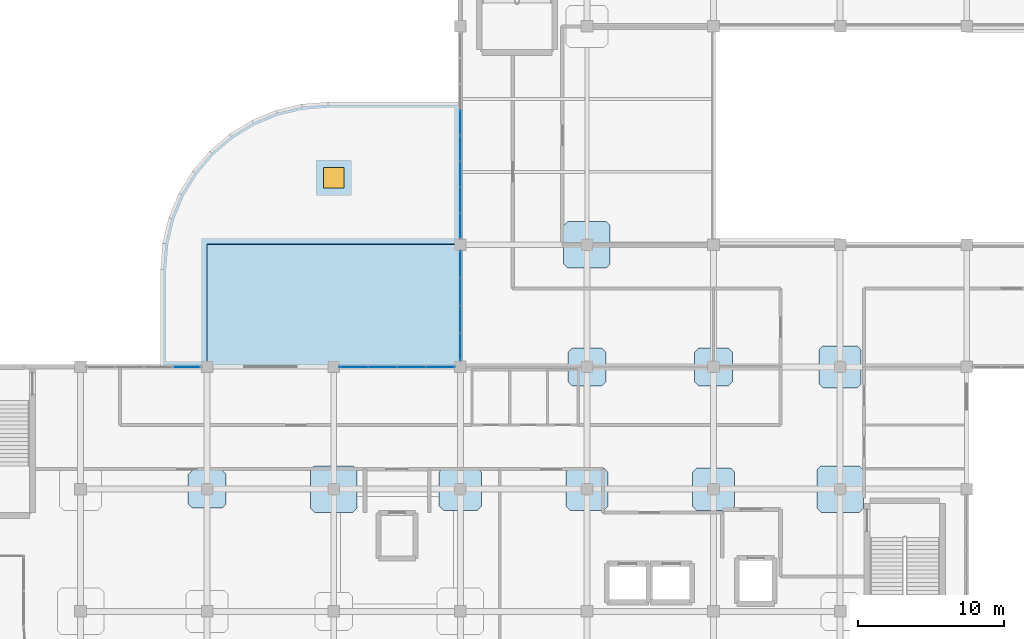
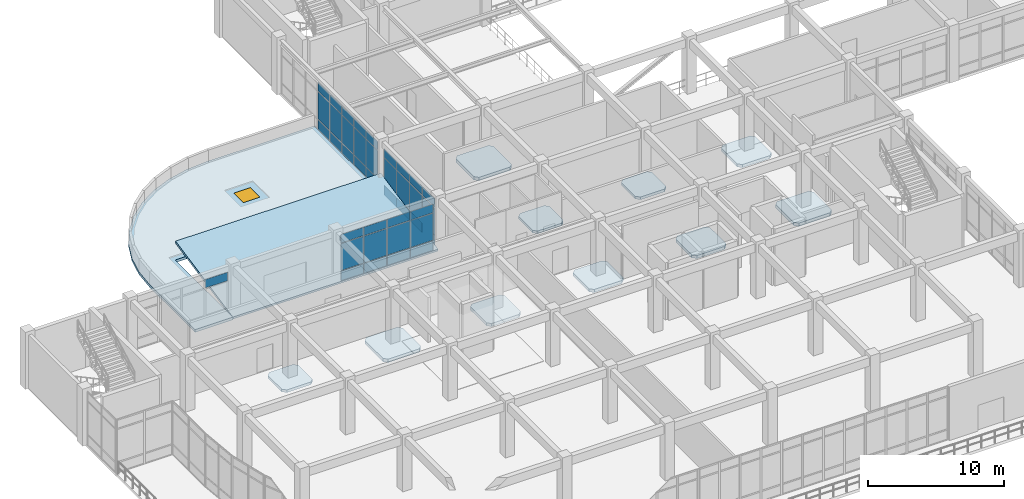
# One storey, part 93 of 124: 41 plates, 12 slabs, 1 window, 1 opening, 5 elements without a shape of their own.
"""IFC4 building model written with IfcOpenShell, lengths in metres."""

from ifc_helpers import new_model, si_unit, derived_unit, direction, frame, origin, origin_2d, place, context, subcontext, project, spatial, polyline, rectangle, outline, extrude, material, layer, layer_set, type_object, element, fill, aggregate, save


model = new_model("IFC4")

# Units and contexts
model_context = context("Model", 3, precision=1e-05, world=origin(), true_north=direction((0.0, 1.0)))
body_context = subcontext(model_context, "Body", "Model", "MODEL_VIEW")
ifc_project = project(units=[si_unit("LENGTHUNIT", "METRE"), si_unit("AREAUNIT", "SQUARE_METRE"), si_unit("VOLUMEUNIT", "CUBIC_METRE"), si_unit("PLANEANGLEUNIT", "RADIAN"), si_unit("MASSUNIT", "GRAM", prefix="KILO"), derived_unit("THERMALTRANSMITTANCEUNIT", [(si_unit("MASSUNIT", "GRAM", prefix="KILO"), 1), (si_unit("TIMEUNIT", "SECOND"), -3), (si_unit("THERMODYNAMICTEMPERATUREUNIT", "KELVIN"), -1)])], contexts=[model_context])

# Site, building, storey
site_placement = place(None, origin())
site = spatial("IfcSite", under=ifc_project, at=site_placement, CompositionType="ELEMENT")
building_placement = place(site_placement, origin())
building = spatial("IfcBuilding", under=site, at=building_placement, Name="Qinzheling Arcade Emporium", CompositionType="ELEMENT")
storey_placement = place(building_placement, frame((0.0, 0.0, 16.5)))
storey = spatial("IfcBuildingStorey", under=building, at=storey_placement, Name="L04", CompositionType="ELEMENT", Elevation=16.5)

# Slabs
ifc_material_1 = material(Name="Concrete C40", Category="concrete")
ifc_layer_1 = layer(ifc_material_1, 0.235107421875, Name="Concrete C40", Category="concrete")
ifc_layer_set_1 = layer_set([ifc_layer_1], Name="Concrete C40")
slab_type_1 = type_object("IfcSlabType", Name="Column Head Drop Panel 2600x2600x235 C40", PredefinedType="USERDEFINED", material=ifc_layer_set_1)
slab_1_placement = place(storey_placement, frame((0.0, 0.0, -0.514892578125)))
element("IfcSlab", 1, at=slab_1_placement, inside=storey, type_object=slab_type_1, Name="Column Drop Panel DP-L04-3-E", ObjectType="DROP_PANEL", PredefinedType="USERDEFINED", context=body_context, shape_type="SweptSolid", body=[
    extrude(outline(polyline([(16.3798828125, 32.300048828125), (18.419921875, 32.300048828125), (18.699951171875, 32.580078125), (18.699951171875, 34.6201171875), (18.419921875, 34.89990234375), (16.3798828125, 34.89990234375), (16.10009765625, 34.6201171875), (16.10009765625, 32.580078125), (16.3798828125, 32.300048828125)])), origin(), (0.0, 0.0, 1.0), 0.23486328125),
])
slab_2_placement = place(storey_placement, frame((0.0, 0.0, -0.514892578125)))
element("IfcSlab", 2, at=slab_2_placement, inside=storey, type_object=slab_type_1, Name="Column Drop Panel DP-L04-6-F", ObjectType="DROP_PANEL", PredefinedType="USERDEFINED", context=body_context, shape_type="SweptSolid", body=[
    extrude(outline(polyline([(42.47998046875, 40.699951171875), (44.52001953125, 40.699951171875), (44.800048828125, 40.97998046875), (44.800048828125, 43.02001953125), (44.52001953125, 43.300048828125), (42.47998046875, 43.300048828125), (42.199951171875, 43.02001953125), (42.199951171875, 40.97998046875), (42.47998046875, 40.699951171875)])), origin(), (0.0, 0.0, 1.0), 0.23486328125),
])
slab_3_placement = place(storey_placement, frame((0.0, 0.0, -0.514892578125)))
element("IfcSlab", 3, at=slab_3_placement, inside=storey, type_object=slab_type_1, Name="Column Drop Panel DP-L04-7-F", ObjectType="DROP_PANEL", PredefinedType="USERDEFINED", context=body_context, shape_type="SweptSolid", body=[
    extrude(outline(polyline([(51.179931640625, 40.699951171875), (53.219970703125, 40.699951171875), (53.5, 40.97998046875), (53.5, 43.02001953125), (53.219970703125, 43.300048828125), (51.179931640625, 43.300048828125), (50.89990234375, 43.02001953125), (50.89990234375, 40.97998046875), (51.179931640625, 40.699951171875)])), origin(), (0.0, 0.0, 1.0), 0.23486328125),
])
ifc_layer_2 = layer(ifc_material_1, 0.27001953125, Name="Concrete C40", Category="concrete")
ifc_layer_set_2 = layer_set([ifc_layer_2], Name="Concrete C40")
slab_type_2 = type_object("IfcSlabType", Name="Column Head Drop Panel 2900x2900x270 C40", PredefinedType="USERDEFINED", material=ifc_layer_set_2)
slab_4_placement = place(storey_placement, frame((0.0, 0.0, -0.550048828125)))
element("IfcSlab", 4, at=slab_4_placement, inside=storey, type_object=slab_type_2, Name="Column Drop Panel DP-L04-5-E", ObjectType="DROP_PANEL", PredefinedType="USERDEFINED", context=body_context, shape_type="SweptSolid", body=[
    extrude(outline(polyline([(33.6298828125, 32.14990234375), (35.969970703125, 32.14990234375), (36.25, 32.429931640625), (36.25, 34.77001953125), (35.969970703125, 35.050048828125), (33.6298828125, 35.050048828125), (33.35009765625, 34.77001953125), (33.35009765625, 32.429931640625), (33.6298828125, 32.14990234375)])), origin(), (0.0, 0.0, 1.0), 0.27001953125),
])
slab_5_placement = place(storey_placement, frame((0.0, 0.0, -0.550048828125)))
element("IfcSlab", 5, at=slab_5_placement, inside=storey, type_object=slab_type_2, Name="Column Drop Panel DP-L04-6-E", ObjectType="DROP_PANEL", PredefinedType="USERDEFINED", context=body_context, shape_type="SweptSolid", body=[
    extrude(outline(polyline([(42.330078125, 32.14990234375), (44.669921875, 32.14990234375), (44.949951171875, 32.429931640625), (44.949951171875, 34.77001953125), (44.669921875, 35.050048828125), (42.330078125, 35.050048828125), (42.050048828125, 34.77001953125), (42.050048828125, 32.429931640625), (42.330078125, 32.14990234375)])), origin(), (0.0, 0.0, 1.0), 0.27001953125),
])
slab_6_placement = place(storey_placement, frame((0.0, 0.0, -0.550048828125)))
element("IfcSlab", 6, at=slab_6_placement, inside=storey, type_object=slab_type_2, Name="Column Drop Panel DP-L04-7-E", ObjectType="DROP_PANEL", PredefinedType="USERDEFINED", context=body_context, shape_type="SweptSolid", body=[
    extrude(outline(polyline([(51.030029296875, 32.14990234375), (53.3701171875, 32.14990234375), (53.64990234375, 32.429931640625), (53.64990234375, 34.77001953125), (53.3701171875, 35.050048828125), (51.030029296875, 35.050048828125), (50.75, 34.77001953125), (50.75, 32.429931640625), (51.030029296875, 32.14990234375)])), origin(), (0.0, 0.0, 1.0), 0.27001953125),
])
slab_7_placement = place(storey_placement, frame((0.0, 0.0, -0.550048828125)))
element("IfcSlab", 7, at=slab_7_placement, inside=storey, type_object=slab_type_2, Name="Column Drop Panel DP-L04-8-F", ObjectType="DROP_PANEL", PredefinedType="USERDEFINED", context=body_context, shape_type="SweptSolid", body=[
    extrude(outline(polyline([(59.72998046875, 40.550048828125), (62.070068359375, 40.550048828125), (62.35009765625, 40.830078125), (62.35009765625, 43.169921875), (62.070068359375, 43.449951171875), (59.72998046875, 43.449951171875), (59.449951171875, 43.169921875), (59.449951171875, 40.830078125), (59.72998046875, 40.550048828125)])), origin(), (0.0, 0.0, 1.0), 0.27001953125),
])
ifc_layer_3 = layer(ifc_material_1, 0.300048828125, Name="Concrete C40", Category="concrete")
ifc_layer_set_3 = layer_set([ifc_layer_3], Name="Concrete C40")
slab_type_3 = type_object("IfcSlabType", Name="Column Head Drop Panel 3200x3200x300 C40", PredefinedType="USERDEFINED", material=ifc_layer_set_3)
slab_8_placement = place(storey_placement, frame((0.0, 0.0, -0.580078125)))
element("IfcSlab", 8, at=slab_8_placement, inside=storey, type_object=slab_type_3, Name="Column Drop Panel DP-L04-4-E", ObjectType="DROP_PANEL", PredefinedType="USERDEFINED", context=body_context, shape_type="SweptSolid", body=[
    extrude(outline(polyline([(24.780029296875, 32.0), (27.419921875, 32.0), (27.699951171875, 32.280029296875), (27.699951171875, 34.919921875), (27.419921875, 35.199951171875), (24.780029296875, 35.199951171875), (24.5, 34.919921875), (24.5, 32.280029296875), (24.780029296875, 32.0)])), origin(), (0.0, 0.0, 1.0), 0.300048828125),
])
slab_9_placement = place(storey_placement, frame((0.0, 0.0, -0.580078125)))
element("IfcSlab", 9, at=slab_9_placement, inside=storey, type_object=slab_type_3, Name="Column Drop Panel DP-L04-6-G", ObjectType="DROP_PANEL", PredefinedType="USERDEFINED", context=body_context, shape_type="SweptSolid", body=[
    extrude(outline(polyline([(42.179931640625, 48.800048828125), (44.820068359375, 48.800048828125), (45.10009765625, 49.080078125), (45.10009765625, 51.719970703125), (44.820068359375, 52.0), (42.179931640625, 52.0), (41.89990234375, 51.719970703125), (41.89990234375, 49.080078125), (42.179931640625, 48.800048828125)])), origin(), (0.0, 0.0, 1.0), 0.300048828125),
])
slab_10_placement = place(storey_placement, frame((0.0, 0.0, -0.580078125)))
element("IfcSlab", 10, at=slab_10_placement, inside=storey, type_object=slab_type_3, Name="Column Drop Panel DP-L04-8-E", ObjectType="DROP_PANEL", PredefinedType="USERDEFINED", context=body_context, shape_type="SweptSolid", body=[
    extrude(outline(polyline([(59.580078125, 32.0), (62.219970703125, 32.0), (62.5, 32.280029296875), (62.5, 34.919921875), (62.219970703125, 35.199951171875), (59.580078125, 35.199951171875), (59.300048828125, 34.919921875), (59.300048828125, 32.280029296875), (59.580078125, 32.0)])), origin(), (0.0, 0.0, 1.0), 0.300048828125),
])

# Slab, opening, window
ifc_layer_4 = layer(ifc_material_1, 0.239990234375, Name="Concrete C40", Category="concrete")
ifc_layer_set_4 = layer_set([ifc_layer_4], Name="Concrete C40")
slab_type_4 = type_object("IfcSlabType", Name="Insulated Flat Roof Slab 240 C40", PredefinedType="ROOF", material=ifc_layer_set_4)
slab_11_placement = place(storey_placement, frame((0.0, 0.0, -0.239990234375)))
slab_11 = element("IfcSlab", 11, at=slab_11_placement, inside=storey, type_object=slab_type_4, Name="Roof Slab SLB-RF-V1W", PredefinedType="ROOF", context=body_context, shape_type="SweptSolid", body=[
    extrude(outline(polyline([(17.39990234375, 42.0), (17.39990234375, 50.449951171875), (34.800048828125, 50.449951171875), (34.800048828125, 60.199951171875), (25.699951171875, 60.199951171875), (23.90087890625, 60.05810546875), (22.14599609375, 59.636962890625), (20.47900390625, 58.947021484375), (18.93994140625, 58.00390625), (17.568115234375, 56.83203125), (16.39599609375, 55.4599609375), (15.452880859375, 53.9208984375), (14.762939453125, 52.25390625), (14.342041015625, 50.4990234375), (14.199951171875, 48.699951171875), (14.199951171875, 42.0), (17.39990234375, 42.0)])), origin(), (0.0, 0.0, 1.0), 0.239990234375),
])
opening_placement = place(slab_11_placement, frame((26.10009765625, 55.0, -0.010009765625)))
opening = element("IfcOpeningElement", 12, at=opening_placement, cuts=slab_11, Name="Opening RH01", PredefinedType="OPENING", context=body_context, shape_type="SweptSolid", body=[
    extrude(rectangle(XDim=1.39990234375, YDim=1.39990234375, at=origin_2d()), origin(), (0.0, 0.0, 1.0), 0.260009765625),
])
ifc_material_2 = material(Name="Insulated aluminium skylight hatch", Category="aluminium")
window_type = type_object("IfcWindowType", Name="Insulated Roof Smoke and Access Hatch 1400x1400", PartitioningType="SINGLE_PANEL", PredefinedType="SKYLIGHT", material=ifc_material_2)
window_placement = place(opening_placement, frame((0.0, 0.0, 0.199951171875)))
window = element("IfcWindow", 13, at=window_placement, inside=storey, type_object=window_type, Name="RH01 Roof Hatch RHT-L04-01", OverallHeight=1.39990234375, OverallWidth=1.39990234375, PartitioningType="SINGLE_PANEL", PredefinedType="SKYLIGHT", context=body_context, shape_type="SweptSolid", body=[
    extrude(rectangle(XDim=1.39990234375, YDim=1.39990234375, at=origin_2d()), origin(), (0.0, 0.0, 1.0), 0.050048828125),
])
fill(opening, window)

# Curtain wall, plate
ifc_material_3 = material(Name="Anodised aluminium and solar-control double glazing", Category="aluminium")
ifc_layer_5 = layer(ifc_material_3, 0.159912109375, Name="Anodised aluminium and solar-control double glazing", Category="aluminium")
ifc_layer_set_5 = layer_set([ifc_layer_5], Name="Anodised aluminium and solar-control double glazing")
curtain_wall_type = type_object("IfcCurtainWallType", Name="Atrium Clerestory Curtain Wall", PredefinedType="NOTDEFINED", material=ifc_layer_set_5)
curtain_wall_1_placement = place(storey_placement, origin())
curtain_wall_1 = element("IfcCurtainWall", 14, at=curtain_wall_1_placement, inside=storey, type_object=curtain_wall_type, Name="Curtain Wall CW-L04-238", PredefinedType="NOTDEFINED")
ifc_material_4 = material(Name="Laminated solar-control double glazing", Category="glass")
ifc_layer_6 = layer(ifc_material_4, 0.02197265625, Name="Laminated solar-control double glazing", Category="glass")
ifc_layer_set_6 = layer_set([ifc_layer_6], Name="Laminated solar-control double glazing")
plate_type_1 = type_object("IfcPlateType", Name="Low-E Double Glazed Curtain Panel 22mm", PredefinedType="CURTAIN_PANEL", material=ifc_layer_set_6)
plate_1_placement = place(storey_placement, frame((15.99609375, 42.0, 3.43505859375), z_axis=(0.0, 0.0, 1.0), x_axis=(1.0, 0.0, 0.0)))
plate_1 = element("IfcPlate", 15, at=plate_1_placement, type_object=plate_type_1, Name="CW03 panel 4.3", PredefinedType="CURTAIN_PANEL", context=body_context, shape_type="SweptSolid", body=[
    extrude(rectangle(XDim=1.884033203125, YDim=0.02197265625, at=origin_2d()), origin(), (0.0, 0.0, 1.0), 0.760009765625),
])
aggregate(curtain_wall_1, [plate_1])

# Curtain wall, plates
curtain_wall_2_placement = place(storey_placement, origin())
curtain_wall_2 = element("IfcCurtainWall", 16, at=curtain_wall_2_placement, inside=storey, type_object=curtain_wall_type, Name="Curtain Wall CW-L04-239", PredefinedType="NOTDEFINED")
ifc_layer_7 = layer(ifc_material_4, 0.02392578125, Name="Laminated solar-control double glazing", Category="glass")
ifc_layer_set_7 = layer_set([ifc_layer_7], Name="Laminated solar-control double glazing")
plate_type_2 = type_object("IfcPlateType", Name="Low-E Double Glazed Curtain Panel 24mm", PredefinedType="CURTAIN_PANEL", material=ifc_layer_set_7)
plate_2_placement = place(storey_placement, frame((27.50390625, 42.0, 0.06005859375), z_axis=(0.0, 0.0, 1.0), x_axis=(1.0, 0.0, 0.0)))
plate_2 = element("IfcPlate", 17, at=plate_2_placement, type_object=plate_type_2, Name="CW03 panel 1.1", PredefinedType="CURTAIN_PANEL", context=body_context, shape_type="SweptSolid", body=[
    extrude(rectangle(XDim=1.884033203125, YDim=0.02392578125, at=origin_2d()), origin(), (0.0, 0.0, 1.0), 0.860107421875),
])
plate_3_placement = place(storey_placement, frame((27.50390625, 42.0, 0.97998046875), z_axis=(0.0, 0.0, 1.0), x_axis=(1.0, 0.0, 0.0)))
plate_3 = element("IfcPlate", 18, at=plate_3_placement, type_object=plate_type_2, Name="CW03 panel 1.2", PredefinedType="CURTAIN_PANEL", context=body_context, shape_type="SweptSolid", body=[
    extrude(rectangle(XDim=1.884033203125, YDim=0.02392578125, at=origin_2d()), origin(), (0.0, 0.0, 1.0), 2.39501953125),
])
plate_4_placement = place(storey_placement, frame((27.50390625, 42.0, 3.43505859375), z_axis=(0.0, 0.0, 1.0), x_axis=(1.0, 0.0, 0.0)))
plate_4 = element("IfcPlate", 19, at=plate_4_placement, type_object=plate_type_2, Name="CW03 panel 1.3", PredefinedType="CURTAIN_PANEL", context=body_context, shape_type="SweptSolid", body=[
    extrude(rectangle(XDim=1.884033203125, YDim=0.02392578125, at=origin_2d()), origin(), (0.0, 0.0, 1.0), 0.760009765625),
])
plate_5_placement = place(storey_placement, frame((29.462890625, 42.0, 0.06005859375), z_axis=(0.0, 0.0, 1.0), x_axis=(1.0, 0.0, 0.0)))
plate_5 = element("IfcPlate", 20, at=plate_5_placement, type_object=plate_type_2, Name="CW03 panel 2.1", PredefinedType="CURTAIN_PANEL", context=body_context, shape_type="SweptSolid", body=[
    extrude(rectangle(XDim=1.9140625, YDim=0.02392578125, at=origin_2d()), origin(), (0.0, 0.0, 1.0), 0.860107421875),
])
plate_6_placement = place(storey_placement, frame((29.462890625, 42.0, 0.97998046875), z_axis=(0.0, 0.0, 1.0), x_axis=(1.0, 0.0, 0.0)))
plate_6 = element("IfcPlate", 21, at=plate_6_placement, type_object=plate_type_2, Name="CW03 panel 2.2", PredefinedType="CURTAIN_PANEL", context=body_context, shape_type="SweptSolid", body=[
    extrude(rectangle(XDim=1.9140625, YDim=0.02392578125, at=origin_2d()), origin(), (0.0, 0.0, 1.0), 2.39501953125),
])
plate_7_placement = place(storey_placement, frame((29.462890625, 42.0, 3.43505859375), z_axis=(0.0, 0.0, 1.0), x_axis=(1.0, 0.0, 0.0)))
plate_7 = element("IfcPlate", 22, at=plate_7_placement, type_object=plate_type_2, Name="CW03 panel 2.3", PredefinedType="CURTAIN_PANEL", context=body_context, shape_type="SweptSolid", body=[
    extrude(rectangle(XDim=1.9140625, YDim=0.02392578125, at=origin_2d()), origin(), (0.0, 0.0, 1.0), 0.760009765625),
])
plate_8_placement = place(storey_placement, frame((31.43701171875, 42.0, 0.06005859375), z_axis=(0.0, 0.0, 1.0), x_axis=(1.0, 0.0, 0.0)))
plate_8 = element("IfcPlate", 23, at=plate_8_placement, type_object=plate_type_2, Name="CW03 panel 3.1", PredefinedType="CURTAIN_PANEL", context=body_context, shape_type="SweptSolid", body=[
    extrude(rectangle(XDim=1.9140625, YDim=0.02392578125, at=origin_2d()), origin(), (0.0, 0.0, 1.0), 0.860107421875),
])
plate_9_placement = place(storey_placement, frame((31.43701171875, 42.0, 0.97998046875), z_axis=(0.0, 0.0, 1.0), x_axis=(1.0, 0.0, 0.0)))
plate_9 = element("IfcPlate", 24, at=plate_9_placement, type_object=plate_type_2, Name="CW03 panel 3.2", PredefinedType="CURTAIN_PANEL", context=body_context, shape_type="SweptSolid", body=[
    extrude(rectangle(XDim=1.9140625, YDim=0.02392578125, at=origin_2d()), origin(), (0.0, 0.0, 1.0), 2.39501953125),
])
plate_10_placement = place(storey_placement, frame((31.43701171875, 42.0, 3.43505859375), z_axis=(0.0, 0.0, 1.0), x_axis=(1.0, 0.0, 0.0)))
plate_10 = element("IfcPlate", 25, at=plate_10_placement, type_object=plate_type_2, Name="CW03 panel 3.3", PredefinedType="CURTAIN_PANEL", context=body_context, shape_type="SweptSolid", body=[
    extrude(rectangle(XDim=1.9140625, YDim=0.02392578125, at=origin_2d()), origin(), (0.0, 0.0, 1.0), 0.760009765625),
])
plate_11_placement = place(storey_placement, frame((33.39599609375, 42.0, 0.06005859375), z_axis=(0.0, 0.0, 1.0), x_axis=(1.0, 0.0, 0.0)))
plate_11 = element("IfcPlate", 26, at=plate_11_placement, type_object=plate_type_2, Name="CW03 panel 4.1", PredefinedType="CURTAIN_PANEL", context=body_context, shape_type="SweptSolid", body=[
    extrude(rectangle(XDim=1.884033203125, YDim=0.02392578125, at=origin_2d()), origin(), (0.0, 0.0, 1.0), 0.860107421875),
])
plate_12_placement = place(storey_placement, frame((33.39599609375, 42.0, 0.97998046875), z_axis=(0.0, 0.0, 1.0), x_axis=(1.0, 0.0, 0.0)))
plate_12 = element("IfcPlate", 27, at=plate_12_placement, type_object=plate_type_2, Name="CW03 panel 4.2", PredefinedType="CURTAIN_PANEL", context=body_context, shape_type="SweptSolid", body=[
    extrude(rectangle(XDim=1.884033203125, YDim=0.02392578125, at=origin_2d()), origin(), (0.0, 0.0, 1.0), 2.39501953125),
])
plate_13_placement = place(storey_placement, frame((33.39599609375, 42.0, 3.43505859375), z_axis=(0.0, 0.0, 1.0), x_axis=(1.0, 0.0, 0.0)))
plate_13 = element("IfcPlate", 28, at=plate_13_placement, type_object=plate_type_2, Name="CW03 panel 4.3", PredefinedType="CURTAIN_PANEL", context=body_context, shape_type="SweptSolid", body=[
    extrude(rectangle(XDim=1.884033203125, YDim=0.02392578125, at=origin_2d()), origin(), (0.0, 0.0, 1.0), 0.760009765625),
])
aggregate(curtain_wall_2, [plate_2, plate_3, plate_4, plate_5, plate_6, plate_7, plate_8, plate_9, plate_10, plate_11, plate_12, plate_13])

curtain_wall_3_placement = place(storey_placement, origin())
curtain_wall_3 = element("IfcCurtainWall", 29, at=curtain_wall_3_placement, inside=storey, type_object=curtain_wall_type, Name="Curtain Wall CW-L04-240", PredefinedType="NOTDEFINED")
ifc_layer_8 = layer(ifc_material_4, 0.02490234375, Name="Laminated solar-control double glazing", Category="glass")
ifc_layer_set_8 = layer_set([ifc_layer_8], Name="Laminated solar-control double glazing")
plate_type_3 = type_object("IfcPlateType", Name="Low-E Double Glazed Curtain Panel 25mm", PredefinedType="CURTAIN_PANEL", material=ifc_layer_set_8)
plate_14_placement = place(storey_placement, frame((34.800048828125, 43.366455078125, 0.06005859375), z_axis=(0.0, 0.0, 1.0), x_axis=(0.0, 1.0, 0.0)))
plate_14 = element("IfcPlate", 30, at=plate_14_placement, type_object=plate_type_3, Name="CW03 panel 1.1", PredefinedType="CURTAIN_PANEL", context=body_context, shape_type="SweptSolid", body=[
    extrude(rectangle(XDim=1.80908203125, YDim=0.02490234375, at=origin_2d()), origin(), (0.0, 0.0, 1.0), 0.860107421875),
])
plate_15_placement = place(storey_placement, frame((34.800048828125, 43.366455078125, 0.97998046875), z_axis=(0.0, 0.0, 1.0), x_axis=(0.0, 1.0, 0.0)))
plate_15 = element("IfcPlate", 31, at=plate_15_placement, type_object=plate_type_3, Name="CW03 panel 1.2", PredefinedType="CURTAIN_PANEL", context=body_context, shape_type="SweptSolid", body=[
    extrude(rectangle(XDim=1.80908203125, YDim=0.02490234375, at=origin_2d()), origin(), (0.0, 0.0, 1.0), 2.39501953125),
])
plate_16_placement = place(storey_placement, frame((34.800048828125, 43.366455078125, 3.43505859375), z_axis=(0.0, 0.0, 1.0), x_axis=(0.0, 1.0, 0.0)))
plate_16 = element("IfcPlate", 32, at=plate_16_placement, type_object=plate_type_3, Name="CW03 panel 1.3", PredefinedType="CURTAIN_PANEL", context=body_context, shape_type="SweptSolid", body=[
    extrude(rectangle(XDim=1.80908203125, YDim=0.02490234375, at=origin_2d()), origin(), (0.0, 0.0, 1.0), 0.760009765625),
])
plate_17_placement = place(storey_placement, frame((34.800048828125, 45.25048828125, 0.06005859375), z_axis=(0.0, 0.0, 1.0), x_axis=(0.0, 1.0, 0.0)))
plate_17 = element("IfcPlate", 33, at=plate_17_placement, type_object=plate_type_3, Name="CW03 panel 2.1", PredefinedType="CURTAIN_PANEL", context=body_context, shape_type="SweptSolid", body=[
    extrude(rectangle(XDim=1.839111328125, YDim=0.02490234375, at=origin_2d()), origin(), (0.0, 0.0, 1.0), 0.860107421875),
])
plate_18_placement = place(storey_placement, frame((34.800048828125, 45.25048828125, 0.97998046875), z_axis=(0.0, 0.0, 1.0), x_axis=(0.0, 1.0, 0.0)))
plate_18 = element("IfcPlate", 34, at=plate_18_placement, type_object=plate_type_3, Name="CW03 panel 2.2", PredefinedType="CURTAIN_PANEL", context=body_context, shape_type="SweptSolid", body=[
    extrude(rectangle(XDim=1.839111328125, YDim=0.02490234375, at=origin_2d()), origin(), (0.0, 0.0, 1.0), 2.39501953125),
])
plate_19_placement = place(storey_placement, frame((34.800048828125, 45.25048828125, 3.43505859375), z_axis=(0.0, 0.0, 1.0), x_axis=(0.0, 1.0, 0.0)))
plate_19 = element("IfcPlate", 35, at=plate_19_placement, type_object=plate_type_3, Name="CW03 panel 2.3", PredefinedType="CURTAIN_PANEL", context=body_context, shape_type="SweptSolid", body=[
    extrude(rectangle(XDim=1.839111328125, YDim=0.02490234375, at=origin_2d()), origin(), (0.0, 0.0, 1.0), 0.760009765625),
])
plate_20_placement = place(storey_placement, frame((34.800048828125, 47.1494140625, 0.06005859375), z_axis=(0.0, 0.0, 1.0), x_axis=(0.0, 1.0, 0.0)))
plate_20 = element("IfcPlate", 36, at=plate_20_placement, type_object=plate_type_3, Name="CW03 panel 3.1", PredefinedType="CURTAIN_PANEL", context=body_context, shape_type="SweptSolid", body=[
    extrude(rectangle(XDim=1.839111328125, YDim=0.02490234375, at=origin_2d()), origin(), (0.0, 0.0, 1.0), 0.860107421875),
])
plate_21_placement = place(storey_placement, frame((34.800048828125, 47.1494140625, 0.97998046875), z_axis=(0.0, 0.0, 1.0), x_axis=(0.0, 1.0, 0.0)))
plate_21 = element("IfcPlate", 37, at=plate_21_placement, type_object=plate_type_3, Name="CW03 panel 3.2", PredefinedType="CURTAIN_PANEL", context=body_context, shape_type="SweptSolid", body=[
    extrude(rectangle(XDim=1.839111328125, YDim=0.02490234375, at=origin_2d()), origin(), (0.0, 0.0, 1.0), 2.39501953125),
])
plate_22_placement = place(storey_placement, frame((34.800048828125, 47.1494140625, 3.43505859375), z_axis=(0.0, 0.0, 1.0), x_axis=(0.0, 1.0, 0.0)))
plate_22 = element("IfcPlate", 38, at=plate_22_placement, type_object=plate_type_3, Name="CW03 panel 3.3", PredefinedType="CURTAIN_PANEL", context=body_context, shape_type="SweptSolid", body=[
    extrude(rectangle(XDim=1.839111328125, YDim=0.02490234375, at=origin_2d()), origin(), (0.0, 0.0, 1.0), 0.760009765625),
])
plate_23_placement = place(storey_placement, frame((34.800048828125, 49.033447265625, 0.06005859375), z_axis=(0.0, 0.0, 1.0), x_axis=(0.0, 1.0, 0.0)))
plate_23 = element("IfcPlate", 39, at=plate_23_placement, type_object=plate_type_3, Name="CW03 panel 4.1", PredefinedType="CURTAIN_PANEL", context=body_context, shape_type="SweptSolid", body=[
    extrude(rectangle(XDim=1.80908203125, YDim=0.02490234375, at=origin_2d()), origin(), (0.0, 0.0, 1.0), 0.860107421875),
])
plate_24_placement = place(storey_placement, frame((34.800048828125, 49.033447265625, 0.97998046875), z_axis=(0.0, 0.0, 1.0), x_axis=(0.0, 1.0, 0.0)))
plate_24 = element("IfcPlate", 40, at=plate_24_placement, type_object=plate_type_3, Name="CW03 panel 4.2", PredefinedType="CURTAIN_PANEL", context=body_context, shape_type="SweptSolid", body=[
    extrude(rectangle(XDim=1.80908203125, YDim=0.02490234375, at=origin_2d()), origin(), (0.0, 0.0, 1.0), 2.39501953125),
])
plate_25_placement = place(storey_placement, frame((34.800048828125, 49.033447265625, 3.43505859375), z_axis=(0.0, 0.0, 1.0), x_axis=(0.0, 1.0, 0.0)))
plate_25 = element("IfcPlate", 41, at=plate_25_placement, type_object=plate_type_3, Name="CW03 panel 4.3", PredefinedType="CURTAIN_PANEL", context=body_context, shape_type="SweptSolid", body=[
    extrude(rectangle(XDim=1.80908203125, YDim=0.02490234375, at=origin_2d()), origin(), (0.0, 0.0, 1.0), 0.760009765625),
])
aggregate(curtain_wall_3, [plate_14, plate_15, plate_16, plate_17, plate_18, plate_19, plate_20, plate_21, plate_22, plate_23, plate_24, plate_25])

curtain_wall_4_placement = place(storey_placement, origin())
curtain_wall_4 = element("IfcCurtainWall", 42, at=curtain_wall_4_placement, inside=storey, type_object=curtain_wall_type, Name="Curtain Wall CW-L04-241", PredefinedType="NOTDEFINED")
ifc_layer_9 = layer(ifc_material_4, 0.02587890625, Name="Laminated solar-control double glazing", Category="glass")
ifc_layer_set_9 = layer_set([ifc_layer_9], Name="Laminated solar-control double glazing")
plate_type_4 = type_object("IfcPlateType", Name="Low-E Double Glazed Curtain Panel 26mm", PredefinedType="CURTAIN_PANEL", material=ifc_layer_set_9)
plate_26_placement = place(storey_placement, frame((34.800048828125, 51.7041015625, 0.06005859375), z_axis=(0.0, 0.0, 1.0), x_axis=(0.0, 1.0, 0.0)))
plate_26 = element("IfcPlate", 43, at=plate_26_placement, type_object=plate_type_4, Name="CW03 panel 1.1", PredefinedType="CURTAIN_PANEL", context=body_context, shape_type="SweptSolid", body=[
    extrude(rectangle(XDim=1.68408203125, YDim=0.02587890625, at=origin_2d()), origin(), (0.0, 0.0, 1.0), 0.860107421875),
])
plate_27_placement = place(storey_placement, frame((34.800048828125, 51.7041015625, 0.97998046875), z_axis=(0.0, 0.0, 1.0), x_axis=(0.0, 1.0, 0.0)))
plate_27 = element("IfcPlate", 44, at=plate_27_placement, type_object=plate_type_4, Name="CW03 panel 1.2", PredefinedType="CURTAIN_PANEL", context=body_context, shape_type="SweptSolid", body=[
    extrude(rectangle(XDim=1.68408203125, YDim=0.02587890625, at=origin_2d()), origin(), (0.0, 0.0, 1.0), 2.45703125),
])
plate_28_placement = place(storey_placement, frame((34.800048828125, 51.7041015625, 3.4970703125), z_axis=(0.0, 0.0, 1.0), x_axis=(0.0, 1.0, 0.0)))
plate_28 = element("IfcPlate", 45, at=plate_28_placement, type_object=plate_type_4, Name="CW03 panel 1.3", PredefinedType="CURTAIN_PANEL", context=body_context, shape_type="SweptSolid", body=[
    extrude(rectangle(XDim=1.68408203125, YDim=0.02587890625, at=origin_2d()), origin(), (0.0, 0.0, 1.0), 0.760009765625),
])
plate_29_placement = place(storey_placement, frame((34.800048828125, 53.462890625, 0.06005859375), z_axis=(0.0, 0.0, 1.0), x_axis=(0.0, 1.0, 0.0)))
plate_29 = element("IfcPlate", 46, at=plate_29_placement, type_object=plate_type_4, Name="CW03 panel 2.1", PredefinedType="CURTAIN_PANEL", context=body_context, shape_type="SweptSolid", body=[
    extrude(rectangle(XDim=1.714111328125, YDim=0.02587890625, at=origin_2d()), origin(), (0.0, 0.0, 1.0), 0.860107421875),
])
plate_30_placement = place(storey_placement, frame((34.800048828125, 53.462890625, 0.97998046875), z_axis=(0.0, 0.0, 1.0), x_axis=(0.0, 1.0, 0.0)))
plate_30 = element("IfcPlate", 47, at=plate_30_placement, type_object=plate_type_4, Name="CW03 panel 2.2", PredefinedType="CURTAIN_PANEL", context=body_context, shape_type="SweptSolid", body=[
    extrude(rectangle(XDim=1.714111328125, YDim=0.02587890625, at=origin_2d()), origin(), (0.0, 0.0, 1.0), 2.45703125),
])
plate_31_placement = place(storey_placement, frame((34.800048828125, 53.462890625, 3.4970703125), z_axis=(0.0, 0.0, 1.0), x_axis=(0.0, 1.0, 0.0)))
plate_31 = element("IfcPlate", 48, at=plate_31_placement, type_object=plate_type_4, Name="CW03 panel 2.3", PredefinedType="CURTAIN_PANEL", context=body_context, shape_type="SweptSolid", body=[
    extrude(rectangle(XDim=1.714111328125, YDim=0.02587890625, at=origin_2d()), origin(), (0.0, 0.0, 1.0), 0.760009765625),
])
plate_32_placement = place(storey_placement, frame((34.800048828125, 55.237060546875, 0.06005859375), z_axis=(0.0, 0.0, 1.0), x_axis=(0.0, 1.0, 0.0)))
plate_32 = element("IfcPlate", 49, at=plate_32_placement, type_object=plate_type_4, Name="CW03 panel 3.1", PredefinedType="CURTAIN_PANEL", context=body_context, shape_type="SweptSolid", body=[
    extrude(rectangle(XDim=1.714111328125, YDim=0.02587890625, at=origin_2d()), origin(), (0.0, 0.0, 1.0), 0.860107421875),
])
plate_33_placement = place(storey_placement, frame((34.800048828125, 55.237060546875, 0.97998046875), z_axis=(0.0, 0.0, 1.0), x_axis=(0.0, 1.0, 0.0)))
plate_33 = element("IfcPlate", 50, at=plate_33_placement, type_object=plate_type_4, Name="CW03 panel 3.2", PredefinedType="CURTAIN_PANEL", context=body_context, shape_type="SweptSolid", body=[
    extrude(rectangle(XDim=1.714111328125, YDim=0.02587890625, at=origin_2d()), origin(), (0.0, 0.0, 1.0), 2.45703125),
])
plate_34_placement = place(storey_placement, frame((34.800048828125, 55.237060546875, 3.4970703125), z_axis=(0.0, 0.0, 1.0), x_axis=(0.0, 1.0, 0.0)))
plate_34 = element("IfcPlate", 51, at=plate_34_placement, type_object=plate_type_4, Name="CW03 panel 3.3", PredefinedType="CURTAIN_PANEL", context=body_context, shape_type="SweptSolid", body=[
    extrude(rectangle(XDim=1.714111328125, YDim=0.02587890625, at=origin_2d()), origin(), (0.0, 0.0, 1.0), 0.760009765625),
])
plate_35_placement = place(storey_placement, frame((34.800048828125, 56.99609375, 0.06005859375), z_axis=(0.0, 0.0, 1.0), x_axis=(0.0, 1.0, 0.0)))
plate_35 = element("IfcPlate", 52, at=plate_35_placement, type_object=plate_type_4, Name="CW03 panel 4.1", PredefinedType="CURTAIN_PANEL", context=body_context, shape_type="SweptSolid", body=[
    extrude(rectangle(XDim=1.68408203125, YDim=0.02587890625, at=origin_2d()), origin(), (0.0, 0.0, 1.0), 0.860107421875),
])
plate_36_placement = place(storey_placement, frame((34.800048828125, 56.99609375, 0.97998046875), z_axis=(0.0, 0.0, 1.0), x_axis=(0.0, 1.0, 0.0)))
plate_36 = element("IfcPlate", 53, at=plate_36_placement, type_object=plate_type_4, Name="CW03 panel 4.2", PredefinedType="CURTAIN_PANEL", context=body_context, shape_type="SweptSolid", body=[
    extrude(rectangle(XDim=1.68408203125, YDim=0.02587890625, at=origin_2d()), origin(), (0.0, 0.0, 1.0), 2.45703125),
])
plate_37_placement = place(storey_placement, frame((34.800048828125, 56.99609375, 3.4970703125), z_axis=(0.0, 0.0, 1.0), x_axis=(0.0, 1.0, 0.0)))
plate_37 = element("IfcPlate", 54, at=plate_37_placement, type_object=plate_type_4, Name="CW03 panel 4.3", PredefinedType="CURTAIN_PANEL", context=body_context, shape_type="SweptSolid", body=[
    extrude(rectangle(XDim=1.68408203125, YDim=0.02587890625, at=origin_2d()), origin(), (0.0, 0.0, 1.0), 0.760009765625),
])
aggregate(curtain_wall_4, [plate_26, plate_27, plate_28, plate_29, plate_30, plate_31, plate_32, plate_33, plate_34, plate_35, plate_36, plate_37])

curtain_wall_5_placement = place(storey_placement, origin())
curtain_wall_5 = element("IfcCurtainWall", 55, at=curtain_wall_5_placement, inside=storey, type_object=curtain_wall_type, Name="Curtain Wall CW-L04-242", PredefinedType="NOTDEFINED")
ifc_layer_10 = layer(ifc_material_4, 0.027099609375, Name="Laminated solar-control double glazing", Category="glass")
ifc_layer_set_10 = layer_set([ifc_layer_10], Name="Laminated solar-control double glazing")
plate_type_5 = type_object("IfcPlateType", Name="Low-E Double Glazed Curtain Panel 27mm", PredefinedType="CURTAIN_PANEL", material=ifc_layer_set_10)
plate_38_placement = place(storey_placement, frame((34.800048828125, 58.803955078125, 0.06005859375), z_axis=(0.0, 0.0, 1.0), x_axis=(0.0, 1.0, 0.0)))
plate_38 = element("IfcPlate", 56, at=plate_38_placement, type_object=plate_type_5, Name="CW03 panel 1.1", PredefinedType="CURTAIN_PANEL", context=body_context, shape_type="SweptSolid", body=[
    extrude(rectangle(XDim=1.68408203125, YDim=0.027099609375, at=origin_2d()), origin(), (0.0, 0.0, 1.0), 0.860107421875),
])
plate_39_placement = place(storey_placement, frame((34.800048828125, 58.803955078125, 0.97998046875), z_axis=(0.0, 0.0, 1.0), x_axis=(0.0, 1.0, 0.0)))
plate_39 = element("IfcPlate", 57, at=plate_39_placement, type_object=plate_type_5, Name="CW03 panel 1.2", PredefinedType="CURTAIN_PANEL", context=body_context, shape_type="SweptSolid", body=[
    extrude(rectangle(XDim=1.68408203125, YDim=0.027099609375, at=origin_2d()), origin(), (0.0, 0.0, 1.0), 2.45703125),
])
plate_40_placement = place(storey_placement, frame((34.800048828125, 58.803955078125, 3.4970703125), z_axis=(0.0, 0.0, 1.0), x_axis=(0.0, 1.0, 0.0)))
plate_40 = element("IfcPlate", 58, at=plate_40_placement, type_object=plate_type_5, Name="CW03 panel 1.3", PredefinedType="CURTAIN_PANEL", context=body_context, shape_type="SweptSolid", body=[
    extrude(rectangle(XDim=1.68408203125, YDim=0.027099609375, at=origin_2d()), origin(), (0.0, 0.0, 1.0), 0.760009765625),
])
aggregate(curtain_wall_5, [plate_38, plate_39, plate_40])

# Slab
ifc_layer_11 = layer(ifc_material_1, 0.2099609375, Name="Concrete C40", Category="concrete")
ifc_layer_set_11 = layer_set([ifc_layer_11], Name="Concrete C40")
slab_type_5 = type_object("IfcSlabType", Name="Sloped Typhoon Storm Eave Roof Slab 210 C40", PredefinedType="ROOF", material=ifc_layer_set_11)
slab_12_placement = place(storey_placement, frame((17.39990234375, 42.0, 0.0), z_axis=(0.0, -0.200598725584, 0.979673492187), x_axis=(1.0, 0.0, 0.0)))
element("IfcSlab", 59, at=slab_12_placement, inside=storey, type_object=slab_type_5, Name="Sloped Storm Eave SLB-EAVE-V1W", PredefinedType="ROOF", context=body_context, shape_type="SweptSolid", body=[
    extrude(outline(polyline([(0.0, 0.0), (17.400146484375, 0.0), (17.400146484375, 8.574185594220891), (0.0, 8.574185594220891), (0.0, 0.0)])), origin(), (0.0, 0.0, -1.0), 0.2099609375),
])

# Plate
ifc_material_5 = material(Name="Perforated anodised aluminium sheet", Category="aluminium")
ifc_layer_12 = layer(ifc_material_5, 0.011962890625, Name="Perforated anodised aluminium sheet", Category="aluminium")
ifc_layer_set_12 = layer_set([ifc_layer_12], Name="Perforated anodised aluminium sheet")
plate_type_6 = type_object("IfcPlateType", Name="Typhoon Storm Louvre Blade 12mm", PredefinedType="SHEET", material=ifc_layer_set_12)
plate_41_placement = place(storey_placement, frame((30.449951171875, 42.0, 3.68017578125), z_axis=(0.0, 0.0, 1.0), x_axis=(1.0, 0.0, 0.0)))
element("IfcPlate", 60, at=plate_41_placement, inside=storey, type_object=plate_type_6, Name="Storm Louvre PLT-SLV-L04-044", PredefinedType="SHEET", context=body_context, shape_type="SweptSolid", body=[
    extrude(rectangle(XDim=7.926025390625, YDim=0.011962890625, at=origin_2d()), origin(), (0.0, 0.0, 1.0), 0.449951171875),
])

save(model, "model.ifc")
